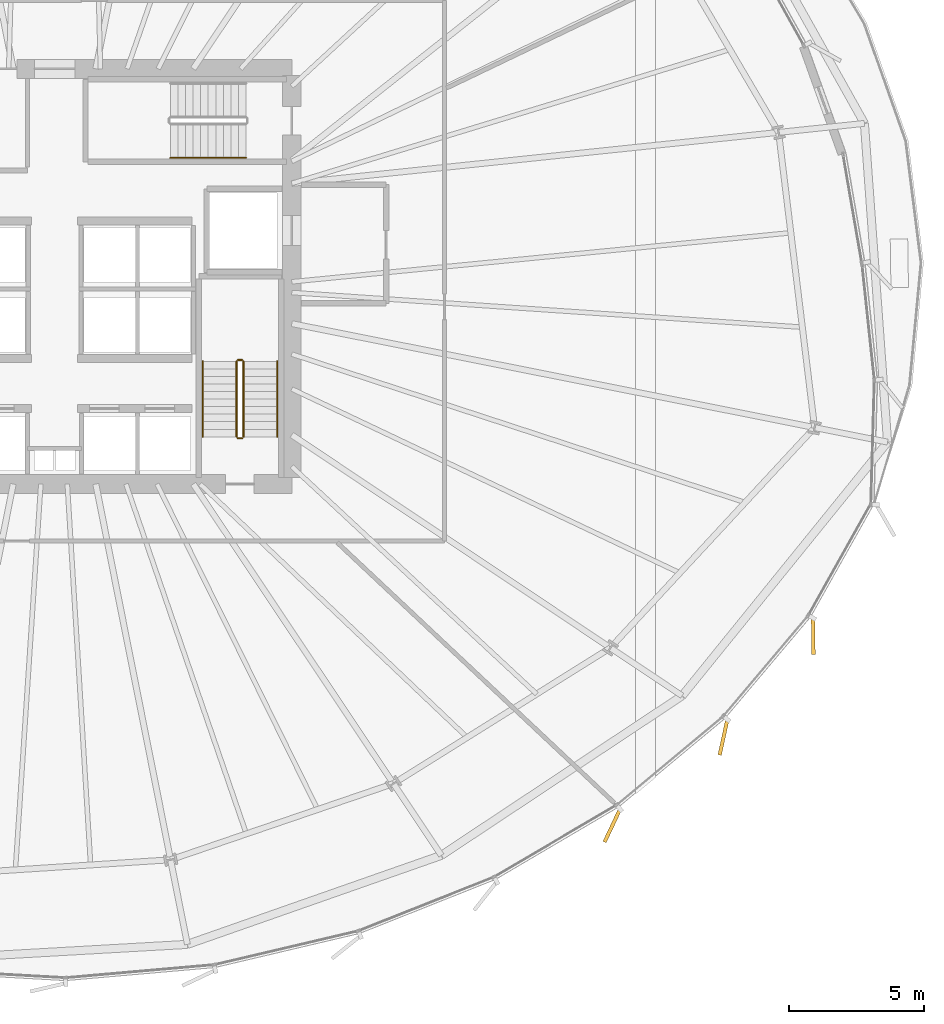
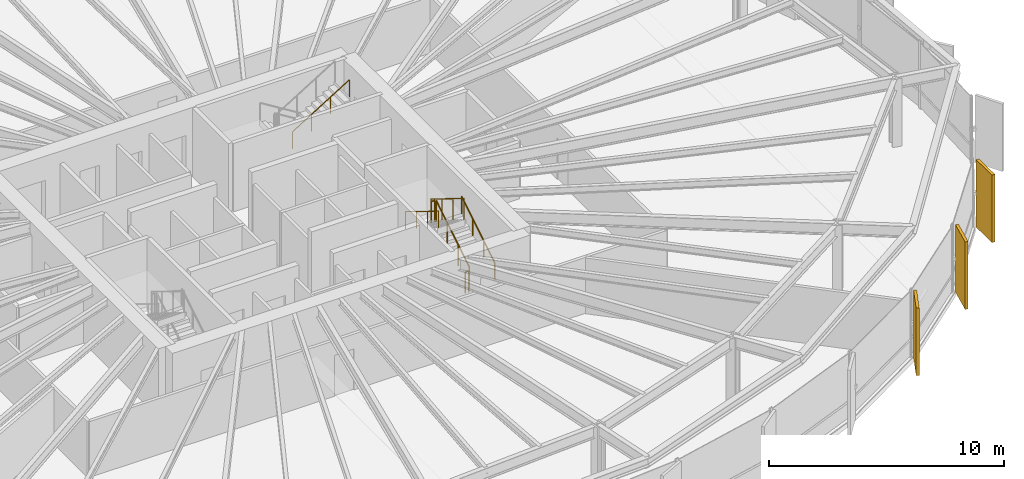
# One storey, part 36 of 39: 7 railings, 3 coverings.
"""IFC4 building model written with IfcOpenShell, lengths in metres."""

from ifc_helpers import new_model, si_unit, direction, frame, origin, origin_2d, place, context, subcontext, project, spatial, rectangle, circle, extrude, source, transform, mapped, material, layer, layer_set, type_object, element, save


model = new_model("IFC4")

# Units and contexts
model_context = context("Model", 3, precision=1e-05, world=origin(), true_north=direction((0.0, 1.0)))
body_context = subcontext(model_context, "Body", "Model", "MODEL_VIEW")
ifc_project = project(units=[si_unit("LENGTHUNIT", "METRE"), si_unit("AREAUNIT", "SQUARE_METRE"), si_unit("VOLUMEUNIT", "CUBIC_METRE"), si_unit("PLANEANGLEUNIT", "RADIAN"), si_unit("MASSUNIT", "GRAM", prefix="KILO"), si_unit("THERMODYNAMICTEMPERATUREUNIT", "KELVIN")], contexts=[model_context])

# Site, building, storey
site_placement = place(None, origin())
site = spatial("IfcSite", under=ifc_project, at=site_placement, CompositionType="ELEMENT")
building_placement = place(site_placement, origin())
building = spatial("IfcBuilding", under=site, at=building_placement, Name="Kethvar Cultural Tower", CompositionType="ELEMENT")
storey_placement = place(building_placement, frame((0.0, 0.0, 33.39990234375)))
storey = spatial("IfcBuildingStorey", under=building, at=storey_placement, Name="L07", CompositionType="ELEMENT", Elevation=33.39990234375)

# Railings
ifc_material_1 = material(Name="Steel S355J2", Category="steel")
railing_type_1 = type_object("IfcRailingType", Name="RL-STAIR-GUARD", PredefinedType="BALUSTRADE", material=ifc_material_1)
railing_1_placement = place(storey_placement, frame((53.81005859375, 21.85009765625, 0.1728515625)))
element("IfcRailing", 1, at=railing_1_placement, inside=storey, type_object=railing_type_1, Name="L07 ST-02 stair guard 1", PredefinedType="BALUSTRADE", context=body_context, shape_type="SweptSolid", body=[
    extrude(circle(Radius=0.02392578125, at=origin_2d()), frame((0.0, 0.0, 1.09619140625), z_axis=(0.0, 0.851069175582, 0.525053576669), x_axis=(-1.0, 0.0, 0.0)), (0.0, 0.0, 1.0), 3.289794921875),
    extrude(circle(Radius=0.02099609375, at=origin_2d()), origin(), (0.0, 0.0, 1.0), 1.072021484375),
    extrude(circle(Radius=0.02099609375, at=origin_2d()), frame((0.0, 0.933349609375, 0.57568359375)), (0.0, 0.0, 1.0), 1.072021484375),
    extrude(circle(Radius=0.02099609375, at=origin_2d()), frame((0.0, 1.866455078125, 1.151611328125)), (0.0, 0.0, 1.0), 1.072021484375),
    extrude(circle(Radius=0.02099609375, at=origin_2d()), frame((0.0, 2.7998046875, 1.727294921875)), (0.0, 0.0, 1.0), 1.072021484375),
])
railing_2_placement = place(storey_placement, frame((53.760009765625, 24.699951171875, 1.900146484375)))
element("IfcRailing", 2, at=railing_2_placement, inside=storey, type_object=railing_type_1, Name="L07 ST-02 stair guard 2", PredefinedType="BALUSTRADE", context=body_context, shape_type="SweptSolid", body=[
    extrude(circle(Radius=0.02392578125, at=origin_2d()), frame((0.0, 0.0, 1.09619140625), z_axis=(-1.0, 0.0, 0.0), x_axis=(0.0, -1.0, 0.0)), (0.0, 0.0, 1.0), 0.159912109375),
    extrude(circle(Radius=0.02099609375, at=origin_2d()), origin(), (0.0, 0.0, 1.0), 1.072021484375),
    extrude(circle(Radius=0.02099609375, at=origin_2d()), frame((-0.159912109375, 0.0, 0.0)), (0.0, 0.0, 1.0), 1.072021484375),
])
railing_3_placement = place(storey_placement, frame((53.550048828125, 24.64990234375, 2.07275390625)))
element("IfcRailing", 3, at=railing_3_placement, inside=storey, type_object=railing_type_1, Name="L07 ST-02 stair guard 3", PredefinedType="BALUSTRADE", context=body_context, shape_type="SweptSolid", body=[
    extrude(circle(Radius=0.02392578125, at=origin_2d()), frame((0.0, 0.0, 1.09619140625), z_axis=(0.0, -0.851069175582, 0.525053576669), x_axis=(1.0, 0.0, 0.0)), (0.0, 0.0, 1.0), 3.289794921875),
    extrude(circle(Radius=0.02099609375, at=origin_2d()), origin(), (0.0, 0.0, 1.0), 1.072021484375),
    extrude(circle(Radius=0.02099609375, at=origin_2d()), frame((0.0, -0.933349609375, 0.57568359375)), (0.0, 0.0, 1.0), 1.072021484375),
    extrude(circle(Radius=0.02099609375, at=origin_2d()), frame((0.0, -1.866455078125, 1.151611328125)), (0.0, 0.0, 1.0), 1.072021484375),
    extrude(circle(Radius=0.02099609375, at=origin_2d()), frame((0.0, -2.7998046875, 1.727294921875)), (0.0, 0.0, 1.0), 1.072021484375),
])
railing_4_placement = place(storey_placement, frame((53.760009765625, 21.800048828125, 0.0)))
element("IfcRailing", 4, at=railing_4_placement, inside=storey, type_object=railing_type_1, Name="L07 ST-02 stair guard 4", PredefinedType="BALUSTRADE", context=body_context, shape_type="SweptSolid", body=[
    extrude(circle(Radius=0.02392578125, at=origin_2d()), frame((0.0, 0.0, 1.09619140625), z_axis=(-1.0, 0.0, 0.0), x_axis=(0.0, -1.0, 0.0)), (0.0, 0.0, 1.0), 0.159912109375),
    extrude(circle(Radius=0.02099609375, at=origin_2d()), origin(), (0.0, 0.0, 1.0), 1.072021484375),
    extrude(circle(Radius=0.02099609375, at=origin_2d()), frame((-0.159912109375, 0.0, 0.0)), (0.0, 0.0, 1.0), 1.072021484375),
])
railing_type_2 = type_object("IfcRailingType", Name="RL-STAIR-HANDRAIL", PredefinedType="HANDRAIL", material=ifc_material_1)
railing_5_placement = place(storey_placement, frame((55.06005859375, 21.85009765625, 0.1728515625)))
element("IfcRailing", 5, at=railing_5_placement, inside=storey, type_object=railing_type_2, Name="L07 ST-02 stair handrail 1", PredefinedType="HANDRAIL", context=body_context, shape_type="SweptSolid", body=[
    extrude(circle(Radius=0.02392578125, at=origin_2d()), frame((0.0, 0.0, 0.8759765625), z_axis=(0.0, 0.851069175582, 0.525053576669), x_axis=(-1.0, 0.0, 0.0)), (0.0, 0.0, 1.0), 3.289794921875),
    extrude(circle(Radius=0.02099609375, at=origin_2d()), origin(), (0.0, 0.0, 1.0), 0.851806640625),
    extrude(circle(Radius=0.02099609375, at=origin_2d()), frame((0.0, 0.933349609375, 0.57568359375)), (0.0, 0.0, 1.0), 0.851806640625),
    extrude(circle(Radius=0.02099609375, at=origin_2d()), frame((0.0, 1.866455078125, 1.151611328125)), (0.0, 0.0, 1.0), 0.851806640625),
    extrude(circle(Radius=0.02099609375, at=origin_2d()), frame((0.0, 2.7998046875, 1.727294921875)), (0.0, 0.0, 1.0), 0.851806640625),
])
railing_6_placement = place(storey_placement, frame((52.300048828125, 24.64990234375, 2.07275390625)))
element("IfcRailing", 6, at=railing_6_placement, inside=storey, type_object=railing_type_2, Name="L07 ST-02 stair handrail 2", PredefinedType="HANDRAIL", context=body_context, shape_type="SweptSolid", body=[
    extrude(circle(Radius=0.02392578125, at=origin_2d()), frame((0.0, 0.0, 0.8759765625), z_axis=(0.0, -0.851069175582, 0.525053576669), x_axis=(1.0, 0.0, 0.0)), (0.0, 0.0, 1.0), 3.289794921875),
    extrude(circle(Radius=0.02099609375, at=origin_2d()), origin(), (0.0, 0.0, 1.0), 0.851806640625),
    extrude(circle(Radius=0.02099609375, at=origin_2d()), frame((0.0, -0.933349609375, 0.57568359375)), (0.0, 0.0, 1.0), 0.851806640625),
    extrude(circle(Radius=0.02099609375, at=origin_2d()), frame((0.0, -1.866455078125, 1.151611328125)), (0.0, 0.0, 1.0), 0.851806640625),
    extrude(circle(Radius=0.02099609375, at=origin_2d()), frame((0.0, -2.7998046875, 1.727294921875)), (0.0, 0.0, 1.0), 0.851806640625),
])
railing_7_placement = place(storey_placement, frame((51.10009765625, 32.199951171875, 2.07275390625)))
element("IfcRailing", 7, at=railing_7_placement, inside=storey, type_object=railing_type_2, Name="L07 ST-03 stair handrail 2", PredefinedType="HANDRAIL", context=body_context, shape_type="SweptSolid", body=[
    extrude(circle(Radius=0.02392578125, at=origin_2d()), frame((0.0, 0.0, 0.8759765625), z_axis=(0.851069175582, 0.0, 0.525053576669), x_axis=(0.0, 1.0, 0.0)), (0.0, 0.0, 1.0), 3.289794921875),
    extrude(circle(Radius=0.02099609375, at=origin_2d()), origin(), (0.0, 0.0, 1.0), 0.851806640625),
    extrude(circle(Radius=0.02099609375, at=origin_2d()), frame((0.933349609375, 0.0, 0.57568359375)), (0.0, 0.0, 1.0), 0.851806640625),
    extrude(circle(Radius=0.02099609375, at=origin_2d()), frame((1.866455078125, 0.0, 1.151611328125)), (0.0, 0.0, 1.0), 0.851806640625),
    extrude(circle(Radius=0.02099609375, at=origin_2d()), frame((2.7998046875, 0.0, 1.727294921875)), (0.0, 0.0, 1.0), 0.851806640625),
])

# Coverings
ifc_material_2 = material(Name="Extruded Architectural Terracotta", Category="masonry")
ifc_layer = layer(ifc_material_2, 0.135009765625, Name="Extruded Architectural Terracotta", Category="masonry")
ifc_layer_set = layer_set([ifc_layer], Name="Extruded Architectural Terracotta (135 mm)")
covering_type = type_object("IfcCoveringType", Name="Terracotta Facade Fin FIN-01", PredefinedType="CLADDING", material=ifc_layer_set)
shared_shape = source(origin(), body_context, "Body", "SweptSolid", [
    extrude(rectangle(XDim=1.35009765625, YDim=0.135009765625, at=origin_2d()), origin(), (0.0, 0.0, 1.0), 3.510009765625),
])
for number, where, z_axis, x_axis, name in (
    (8, (67.48828125, 7.42919921875, 0.02001953125), (0.0, 0.0, 1.0), (-0.427042253013, -0.904231670614, 0.0), "L07 Vertical Terracotta Fin 6.6"),
    (9, (71.61376953125, 10.706298828125, 0.02001953125), (0.0, 0.0, 1.0), (-0.212177672156, -0.977231106463, 0.0), "L07 Vertical Terracotta Fin 7.1"),
    (10, (74.94140625, 14.45458984375, 0.02001953125), (0.0, 0.0, 1.0), (0.014136696038, -0.99990007192, 0.0), "L07 Vertical Terracotta Fin 7.2"),
):
    element("IfcCovering", number, at=place(storey_placement, frame(where, z_axis=z_axis, x_axis=x_axis)), inside=storey, type_object=covering_type, Name=name, PredefinedType="CLADDING", context=body_context, shape_type="MappedRepresentation", body=[
        mapped(shared_shape, transform((0.0, 0.0, 0.0), scale=1.0)),
    ])

save(model, "model.ifc")
